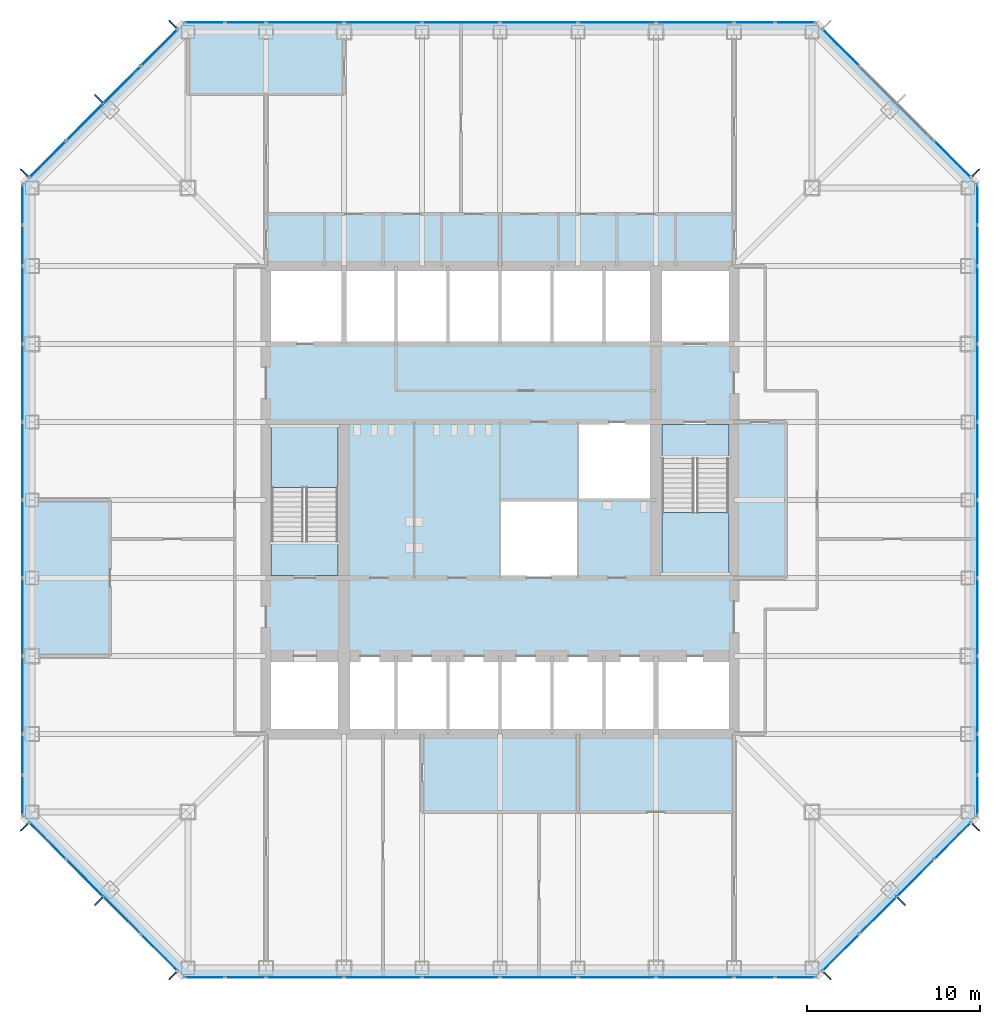
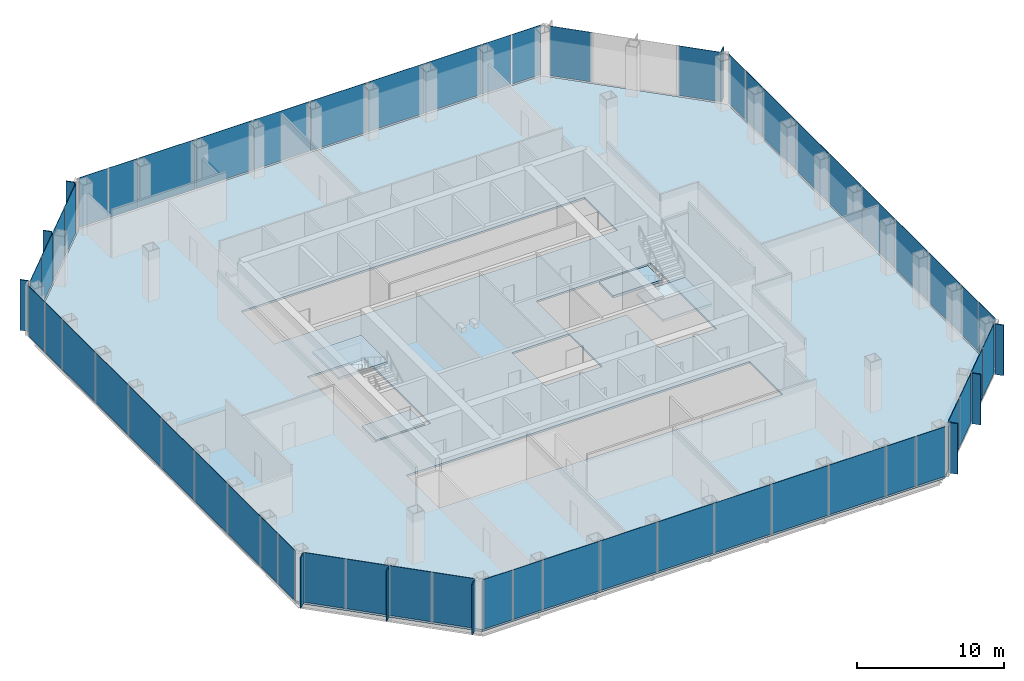
# One storey, part 7 of 13: 64 plates, 5 slabs, 10 elements without a shape of their own.
"""IFC4 building model written with IfcOpenShell, lengths in metres."""

from ifc_helpers import new_model, si_unit, direction, frame, origin, origin_2d, place, context, subcontext, project, spatial, polyline, rectangle, outline, extrude, material, layer, layer_set, type_object, element, aggregate, save


model = new_model("IFC4")

# Units and contexts
model_context = context("Model", 3, precision=1e-05, world=origin(), true_north=direction((0.0, 1.0)))
body_context = subcontext(model_context, "Body", "Model", "MODEL_VIEW")
ifc_project = project(units=[si_unit("LENGTHUNIT", "METRE"), si_unit("AREAUNIT", "SQUARE_METRE"), si_unit("VOLUMEUNIT", "CUBIC_METRE"), si_unit("PLANEANGLEUNIT", "RADIAN"), si_unit("MASSUNIT", "GRAM", prefix="KILO")], contexts=[model_context])

# Site, building, storey
site_placement = place(None, origin())
site = spatial("IfcSite", under=ifc_project, at=site_placement, CompositionType="ELEMENT")
building_placement = place(site_placement, origin())
building = spatial("IfcBuilding", under=site, at=building_placement, Name="Corais Broadcast Tower", CompositionType="ELEMENT")
storey_placement = place(building_placement, frame((0.0, 0.0, 66.800048828125)))
storey = spatial("IfcBuildingStorey", under=building, at=storey_placement, Name="L14", CompositionType="ELEMENT", Elevation=66.800048828125)

# Slab
ifc_material_1 = material(Name="Concrete C30/37", Category="concrete")
ifc_layer_1 = layer(ifc_material_1, 0.159912109375)
ifc_layer_set_1 = layer_set([ifc_layer_1], Name="Concrete C30/37")
slab_type_1 = type_object("IfcSlabType", Name="Composite floor slab 160", PredefinedType="FLOOR", material=ifc_layer_set_1)
slab_1_placement = place(storey_placement, frame((0.0, 0.0, -0.16015625)))
element("IfcSlab", 1, at=slab_1_placement, inside=storey, type_object=slab_type_1, Name="S160 floor slab L14", PredefinedType="FLOOR", context=body_context, shape_type="SweptSolid", body=[
    extrude(outline(polyline([(8.80126953125, -0.47998046875), (-0.47998046875, 8.80126953125), (-0.47998046875, 45.19873046875), (8.80126953125, 54.47998046875), (45.19873046875, 54.47998046875), (54.47998046875, 45.19873046875), (54.47998046875, 8.80126953125), (45.19873046875, -0.47998046875), (8.80126953125, -0.47998046875)]), holes=[polyline([(13.5, 18.0), (40.5, 18.0), (40.5, 13.5), (13.5, 13.5), (13.5, 18.0)]), polyline([(13.5, 22.5), (13.5, 31.5), (18.0, 31.5), (18.0, 22.5), (13.5, 22.5)]), polyline([(13.5, 40.5), (40.5, 40.5), (40.5, 36.0), (13.5, 36.0), (13.5, 40.5)]), polyline([(27.0, 22.5), (27.0, 27.0), (31.4951171875, 27.0), (31.4951171875, 27.0048828125), (31.5, 27.0048828125), (31.5, 31.5), (40.5, 31.5), (40.5, 22.5), (36.0, 22.5), (36.0, 27.0), (31.5048828125, 27.0), (31.5048828125, 26.9951171875), (31.5, 26.9951171875), (31.5, 22.5), (27.0, 22.5)])]), origin(), (0.0, 0.0, 1.0), 0.16015625),
])

# Curtain wall, plates
ifc_material_2 = material(Name="Aluminium and glass", Category="aluminium")
curtain_wall_type = type_object("IfcCurtainWallType", Name="Unitised fritted curtain wall CW1", PredefinedType="NOTDEFINED", material=ifc_material_2)
curtain_wall_1_placement = place(storey_placement, origin())
curtain_wall_1 = element("IfcCurtainWall", 2, at=curtain_wall_1_placement, inside=storey, type_object=curtain_wall_type, Name="CW1 curtain wall L14 1", PredefinedType="NOTDEFINED")
ifc_material_3 = material(Name="Ceramic-fritted laminated glass", Category="glass")
ifc_layer_2 = layer(ifc_material_3, 0.030029296875)
ifc_layer_set_2 = layer_set([ifc_layer_2], Name="Ceramic-fritted laminated glass")
plate_type_1 = type_object("IfcPlateType", Name="Fritted glass panel CW1", PredefinedType="CURTAIN_PANEL", material=ifc_layer_set_2)
plate_1_placement = place(storey_placement, frame((7.330322265625, 0.891845703125, 0.06494140625), z_axis=(0.0, 0.0, 1.0), x_axis=(-0.707106781187, 0.707106781187, 0.0)))
plate_1 = element("IfcPlate", 3, at=plate_1_placement, type_object=plate_type_1, Name="CW1 panel 1", PredefinedType="CURTAIN_PANEL", context=body_context, shape_type="SweptSolid", body=[
    extrude(rectangle(XDim=2.9482421875, YDim=0.030029296875, at=origin_2d()), origin(), (0.0, 0.0, 1.0), 4.135009765625),
])
plate_2_placement = place(storey_placement, frame((3.0341796875, 5.18798828125, 0.06494140625), z_axis=(0.0, 0.0, 1.0), x_axis=(-0.707106781187, 0.707106781187, 0.0)))
plate_2 = element("IfcPlate", 4, at=plate_2_placement, type_object=plate_type_1, Name="CW1 panel 3", PredefinedType="CURTAIN_PANEL", context=body_context, shape_type="SweptSolid", body=[
    extrude(rectangle(XDim=2.98095703125, YDim=0.030029296875, at=origin_2d()), origin(), (0.0, 0.0, 1.0), 4.135009765625),
])

curtain_wall_2_placement = place(storey_placement, origin())
curtain_wall_2 = element("IfcCurtainWall", 5, at=curtain_wall_2_placement, inside=storey, type_object=curtain_wall_type, Name="CW1 curtain wall L14 2", PredefinedType="NOTDEFINED")
plate_3_placement = place(storey_placement, frame((-0.550048828125, 9.970458984375, 0.06494140625), z_axis=(0.0, 0.0, 1.0), x_axis=(0.0, 1.0, 0.0)))
plate_3 = element("IfcPlate", 6, at=plate_3_placement, type_object=plate_type_1, Name="CW1 panel 1", PredefinedType="CURTAIN_PANEL", context=body_context, shape_type="SweptSolid", body=[
    extrude(rectangle(XDim=2.266357421875, YDim=0.030029296875, at=origin_2d()), origin(), (0.0, 0.0, 1.0), 4.135009765625),
])
plate_4_placement = place(storey_placement, frame((-0.550048828125, 15.75, 0.06494140625), z_axis=(0.0, 0.0, 1.0), x_axis=(0.0, 1.0, 0.0)))
plate_4 = element("IfcPlate", 7, at=plate_4_placement, type_object=plate_type_1, Name="CW1 panel 3", PredefinedType="CURTAIN_PANEL", context=body_context, shape_type="SweptSolid", body=[
    extrude(rectangle(XDim=4.43505859375, YDim=0.030029296875, at=origin_2d()), origin(), (0.0, 0.0, 1.0), 4.135009765625),
])
plate_5_placement = place(storey_placement, frame((-0.550048828125, 24.75, 0.06494140625), z_axis=(0.0, 0.0, 1.0), x_axis=(0.0, 1.0, 0.0)))
plate_5 = element("IfcPlate", 8, at=plate_5_placement, type_object=plate_type_1, Name="CW1 panel 5", PredefinedType="CURTAIN_PANEL", context=body_context, shape_type="SweptSolid", body=[
    extrude(rectangle(XDim=4.43505859375, YDim=0.030029296875, at=origin_2d()), origin(), (0.0, 0.0, 1.0), 4.135009765625),
])
plate_6_placement = place(storey_placement, frame((-0.550048828125, 33.75, 0.06494140625), z_axis=(0.0, 0.0, 1.0), x_axis=(0.0, 1.0, 0.0)))
plate_6 = element("IfcPlate", 9, at=plate_6_placement, type_object=plate_type_1, Name="CW1 panel 7", PredefinedType="CURTAIN_PANEL", context=body_context, shape_type="SweptSolid", body=[
    extrude(rectangle(XDim=4.43505859375, YDim=0.030029296875, at=origin_2d()), origin(), (0.0, 0.0, 1.0), 4.135009765625),
])
plate_7_placement = place(storey_placement, frame((-0.550048828125, 41.681884765625, 0.06494140625), z_axis=(0.0, 0.0, 1.0), x_axis=(0.0, 1.0, 0.0)))
plate_7 = element("IfcPlate", 10, at=plate_7_placement, type_object=plate_type_1, Name="CW1 panel 9", PredefinedType="CURTAIN_PANEL", context=body_context, shape_type="SweptSolid", body=[
    extrude(rectangle(XDim=2.298828125, YDim=0.030029296875, at=origin_2d()), origin(), (0.0, 0.0, 1.0), 4.135009765625),
])

curtain_wall_3_placement = place(storey_placement, origin())
curtain_wall_3 = element("IfcCurtainWall", 11, at=curtain_wall_3_placement, inside=storey, type_object=curtain_wall_type, Name="CW1 curtain wall L14 3", PredefinedType="NOTDEFINED")
plate_8_placement = place(storey_placement, frame((0.891845703125, 46.669677734375, 0.06494140625), z_axis=(0.0, 0.0, 1.0), x_axis=(0.707106781187, 0.707106781187, 0.0)))
plate_8 = element("IfcPlate", 12, at=plate_8_placement, type_object=plate_type_1, Name="CW1 panel 1", PredefinedType="CURTAIN_PANEL", context=body_context, shape_type="SweptSolid", body=[
    extrude(rectangle(XDim=2.9482421875, YDim=0.030029296875, at=origin_2d()), origin(), (0.0, 0.0, 1.0), 4.135009765625),
])
plate_9_placement = place(storey_placement, frame((5.18798828125, 50.9658203125, 0.06494140625), z_axis=(0.0, 0.0, 1.0), x_axis=(0.707106781187, 0.707106781187, 0.0)))
plate_9 = element("IfcPlate", 13, at=plate_9_placement, type_object=plate_type_1, Name="CW1 panel 3", PredefinedType="CURTAIN_PANEL", context=body_context, shape_type="SweptSolid", body=[
    extrude(rectangle(XDim=2.98095703125, YDim=0.030029296875, at=origin_2d()), origin(), (0.0, 0.0, 1.0), 4.135009765625),
])

curtain_wall_4_placement = place(storey_placement, origin())
curtain_wall_4 = element("IfcCurtainWall", 14, at=curtain_wall_4_placement, inside=storey, type_object=curtain_wall_type, Name="CW1 curtain wall L14 4", PredefinedType="NOTDEFINED")
plate_10_placement = place(storey_placement, frame((9.970458984375, 54.550048828125, 0.06494140625), z_axis=(0.0, 0.0, 1.0), x_axis=(1.0, 0.0, 0.0)))
plate_10 = element("IfcPlate", 15, at=plate_10_placement, type_object=plate_type_1, Name="CW1 panel 1", PredefinedType="CURTAIN_PANEL", context=body_context, shape_type="SweptSolid", body=[
    extrude(rectangle(XDim=2.266357421875, YDim=0.030029296875, at=origin_2d()), origin(), (0.0, 0.0, 1.0), 4.135009765625),
])
plate_11_placement = place(storey_placement, frame((15.75, 54.550048828125, 0.06494140625), z_axis=(0.0, 0.0, 1.0), x_axis=(1.0, 0.0, 0.0)))
plate_11 = element("IfcPlate", 16, at=plate_11_placement, type_object=plate_type_1, Name="CW1 panel 3", PredefinedType="CURTAIN_PANEL", context=body_context, shape_type="SweptSolid", body=[
    extrude(rectangle(XDim=4.43505859375, YDim=0.030029296875, at=origin_2d()), origin(), (0.0, 0.0, 1.0), 4.135009765625),
])
plate_12_placement = place(storey_placement, frame((24.75, 54.550048828125, 0.06494140625), z_axis=(0.0, 0.0, 1.0), x_axis=(1.0, 0.0, 0.0)))
plate_12 = element("IfcPlate", 17, at=plate_12_placement, type_object=plate_type_1, Name="CW1 panel 5", PredefinedType="CURTAIN_PANEL", context=body_context, shape_type="SweptSolid", body=[
    extrude(rectangle(XDim=4.43505859375, YDim=0.030029296875, at=origin_2d()), origin(), (0.0, 0.0, 1.0), 4.135009765625),
])
plate_13_placement = place(storey_placement, frame((33.75, 54.550048828125, 0.06494140625), z_axis=(0.0, 0.0, 1.0), x_axis=(1.0, 0.0, 0.0)))
plate_13 = element("IfcPlate", 18, at=plate_13_placement, type_object=plate_type_1, Name="CW1 panel 7", PredefinedType="CURTAIN_PANEL", context=body_context, shape_type="SweptSolid", body=[
    extrude(rectangle(XDim=4.43505859375, YDim=0.030029296875, at=origin_2d()), origin(), (0.0, 0.0, 1.0), 4.135009765625),
])
plate_14_placement = place(storey_placement, frame((41.681884765625, 54.550048828125, 0.06494140625), z_axis=(0.0, 0.0, 1.0), x_axis=(1.0, 0.0, 0.0)))
plate_14 = element("IfcPlate", 19, at=plate_14_placement, type_object=plate_type_1, Name="CW1 panel 9", PredefinedType="CURTAIN_PANEL", context=body_context, shape_type="SweptSolid", body=[
    extrude(rectangle(XDim=2.298828125, YDim=0.030029296875, at=origin_2d()), origin(), (0.0, 0.0, 1.0), 4.135009765625),
])

# Curtain wall, plate
curtain_wall_5_placement = place(storey_placement, origin())
curtain_wall_5 = element("IfcCurtainWall", 20, at=curtain_wall_5_placement, inside=storey, type_object=curtain_wall_type, Name="CW1 curtain wall L14 5", PredefinedType="NOTDEFINED")
plate_15_placement = place(storey_placement, frame((46.669677734375, 53.108154296875, 0.06494140625), z_axis=(0.0, 0.0, 1.0), x_axis=(0.707106781187, -0.707106781187, 0.0)))
plate_15 = element("IfcPlate", 21, at=plate_15_placement, type_object=plate_type_1, Name="CW1 panel 1", PredefinedType="CURTAIN_PANEL", context=body_context, shape_type="SweptSolid", body=[
    extrude(rectangle(XDim=2.9482421875, YDim=0.030029296875, at=origin_2d()), origin(), (0.0, 0.0, 1.0), 4.135009765625),
])

# Curtain wall, plates
curtain_wall_6_placement = place(storey_placement, origin())
curtain_wall_6 = element("IfcCurtainWall", 22, at=curtain_wall_6_placement, inside=storey, type_object=curtain_wall_type, Name="CW1 curtain wall L14 6", PredefinedType="NOTDEFINED")
plate_16_placement = place(storey_placement, frame((54.550048828125, 44.029541015625, 0.06494140625), z_axis=(0.0, 0.0, 1.0), x_axis=(0.0, -1.0, 0.0)))
plate_16 = element("IfcPlate", 23, at=plate_16_placement, type_object=plate_type_1, Name="CW1 panel 1", PredefinedType="CURTAIN_PANEL", context=body_context, shape_type="SweptSolid", body=[
    extrude(rectangle(XDim=2.266357421875, YDim=0.030029296875, at=origin_2d()), origin(), (0.0, 0.0, 1.0), 4.135009765625),
])
plate_17_placement = place(storey_placement, frame((54.550048828125, 38.25, 0.06494140625), z_axis=(0.0, 0.0, 1.0), x_axis=(0.0, -1.0, 0.0)))
plate_17 = element("IfcPlate", 24, at=plate_17_placement, type_object=plate_type_1, Name="CW1 panel 3", PredefinedType="CURTAIN_PANEL", context=body_context, shape_type="SweptSolid", body=[
    extrude(rectangle(XDim=4.43505859375, YDim=0.030029296875, at=origin_2d()), origin(), (0.0, 0.0, 1.0), 4.135009765625),
])
plate_18_placement = place(storey_placement, frame((54.550048828125, 29.25, 0.06494140625), z_axis=(0.0, 0.0, 1.0), x_axis=(0.0, -1.0, 0.0)))
plate_18 = element("IfcPlate", 25, at=plate_18_placement, type_object=plate_type_1, Name="CW1 panel 5", PredefinedType="CURTAIN_PANEL", context=body_context, shape_type="SweptSolid", body=[
    extrude(rectangle(XDim=4.43505859375, YDim=0.030029296875, at=origin_2d()), origin(), (0.0, 0.0, 1.0), 4.135009765625),
])
plate_19_placement = place(storey_placement, frame((54.550048828125, 20.25, 0.06494140625), z_axis=(0.0, 0.0, 1.0), x_axis=(0.0, -1.0, 0.0)))
plate_19 = element("IfcPlate", 26, at=plate_19_placement, type_object=plate_type_1, Name="CW1 panel 7", PredefinedType="CURTAIN_PANEL", context=body_context, shape_type="SweptSolid", body=[
    extrude(rectangle(XDim=4.43505859375, YDim=0.030029296875, at=origin_2d()), origin(), (0.0, 0.0, 1.0), 4.135009765625),
])
plate_20_placement = place(storey_placement, frame((54.550048828125, 12.318115234375, 0.06494140625), z_axis=(0.0, 0.0, 1.0), x_axis=(0.0, -1.0, 0.0)))
plate_20 = element("IfcPlate", 27, at=plate_20_placement, type_object=plate_type_1, Name="CW1 panel 9", PredefinedType="CURTAIN_PANEL", context=body_context, shape_type="SweptSolid", body=[
    extrude(rectangle(XDim=2.298828125, YDim=0.030029296875, at=origin_2d()), origin(), (0.0, 0.0, 1.0), 4.135009765625),
])

curtain_wall_7_placement = place(storey_placement, origin())
curtain_wall_7 = element("IfcCurtainWall", 28, at=curtain_wall_7_placement, inside=storey, type_object=curtain_wall_type, Name="CW1 curtain wall L14 7", PredefinedType="NOTDEFINED")
plate_21_placement = place(storey_placement, frame((53.108154296875, 7.330322265625, 0.06494140625), z_axis=(0.0, 0.0, 1.0), x_axis=(-0.707106781187, -0.707106781187, 0.0)))
plate_21 = element("IfcPlate", 29, at=plate_21_placement, type_object=plate_type_1, Name="CW1 panel 1", PredefinedType="CURTAIN_PANEL", context=body_context, shape_type="SweptSolid", body=[
    extrude(rectangle(XDim=2.9482421875, YDim=0.030029296875, at=origin_2d()), origin(), (0.0, 0.0, 1.0), 4.135009765625),
])
plate_22_placement = place(storey_placement, frame((48.81201171875, 3.0341796875, 0.06494140625), z_axis=(0.0, 0.0, 1.0), x_axis=(-0.707106781187, -0.707106781187, 0.0)))
plate_22 = element("IfcPlate", 30, at=plate_22_placement, type_object=plate_type_1, Name="CW1 panel 3", PredefinedType="CURTAIN_PANEL", context=body_context, shape_type="SweptSolid", body=[
    extrude(rectangle(XDim=2.98095703125, YDim=0.030029296875, at=origin_2d()), origin(), (0.0, 0.0, 1.0), 4.135009765625),
])

curtain_wall_8_placement = place(storey_placement, origin())
curtain_wall_8 = element("IfcCurtainWall", 31, at=curtain_wall_8_placement, inside=storey, type_object=curtain_wall_type, Name="CW1 curtain wall L14 8", PredefinedType="NOTDEFINED")
plate_23_placement = place(storey_placement, frame((44.029541015625, -0.550048828125, 0.06494140625), z_axis=(0.0, 0.0, 1.0), x_axis=(-1.0, 0.0, 0.0)))
plate_23 = element("IfcPlate", 32, at=plate_23_placement, type_object=plate_type_1, Name="CW1 panel 1", PredefinedType="CURTAIN_PANEL", context=body_context, shape_type="SweptSolid", body=[
    extrude(rectangle(XDim=2.266357421875, YDim=0.030029296875, at=origin_2d()), origin(), (0.0, 0.0, 1.0), 4.135009765625),
])
plate_24_placement = place(storey_placement, frame((38.25, -0.550048828125, 0.06494140625), z_axis=(0.0, 0.0, 1.0), x_axis=(-1.0, 0.0, 0.0)))
plate_24 = element("IfcPlate", 33, at=plate_24_placement, type_object=plate_type_1, Name="CW1 panel 3", PredefinedType="CURTAIN_PANEL", context=body_context, shape_type="SweptSolid", body=[
    extrude(rectangle(XDim=4.43505859375, YDim=0.030029296875, at=origin_2d()), origin(), (0.0, 0.0, 1.0), 4.135009765625),
])
plate_25_placement = place(storey_placement, frame((29.25, -0.550048828125, 0.06494140625), z_axis=(0.0, 0.0, 1.0), x_axis=(-1.0, 0.0, 0.0)))
plate_25 = element("IfcPlate", 34, at=plate_25_placement, type_object=plate_type_1, Name="CW1 panel 5", PredefinedType="CURTAIN_PANEL", context=body_context, shape_type="SweptSolid", body=[
    extrude(rectangle(XDim=4.43505859375, YDim=0.030029296875, at=origin_2d()), origin(), (0.0, 0.0, 1.0), 4.135009765625),
])
plate_26_placement = place(storey_placement, frame((20.25, -0.550048828125, 0.06494140625), z_axis=(0.0, 0.0, 1.0), x_axis=(-1.0, 0.0, 0.0)))
plate_26 = element("IfcPlate", 35, at=plate_26_placement, type_object=plate_type_1, Name="CW1 panel 7", PredefinedType="CURTAIN_PANEL", context=body_context, shape_type="SweptSolid", body=[
    extrude(rectangle(XDim=4.43505859375, YDim=0.030029296875, at=origin_2d()), origin(), (0.0, 0.0, 1.0), 4.135009765625),
])
plate_27_placement = place(storey_placement, frame((12.318115234375, -0.550048828125, 0.06494140625), z_axis=(0.0, 0.0, 1.0), x_axis=(-1.0, 0.0, 0.0)))
plate_27 = element("IfcPlate", 36, at=plate_27_placement, type_object=plate_type_1, Name="CW1 panel 9", PredefinedType="CURTAIN_PANEL", context=body_context, shape_type="SweptSolid", body=[
    extrude(rectangle(XDim=2.298828125, YDim=0.030029296875, at=origin_2d()), origin(), (0.0, 0.0, 1.0), 4.135009765625),
])

# Plate
ifc_material_4 = material(Name="Clear laminated glass", Category="glass")
ifc_layer_3 = layer(ifc_material_4, 0.033935546875)
ifc_layer_set_3 = layer_set([ifc_layer_3], Name="Clear laminated glass")
plate_type_2 = type_object("IfcPlateType", Name="Operable glass panel CW1", PredefinedType="CURTAIN_PANEL", material=ifc_layer_set_3)
plate_28_placement = place(storey_placement, frame((5.18798828125, 3.0341796875, 0.06494140625), z_axis=(0.0, 0.0, 1.0), x_axis=(-0.707106781187, 0.707106781187, 0.0)))
plate_28 = element("IfcPlate", 37, at=plate_28_placement, type_object=plate_type_2, Name="CW1 operable panel 2", PredefinedType="CURTAIN_PANEL", context=body_context, shape_type="SweptSolid", body=[
    extrude(rectangle(XDim=2.98095703125, YDim=0.033935546875, at=origin_2d()), origin(), (0.0, 0.0, 1.0), 4.135009765625),
])

plate_29_placement = place(storey_placement, frame((0.89208984375, 7.330322265625, 0.06494140625), z_axis=(0.0, 0.0, 1.0), x_axis=(-0.707106781187, 0.707106781187, 0.0)))
plate_29 = element("IfcPlate", 38, at=plate_29_placement, type_object=plate_type_2, Name="CW1 operable panel 4", PredefinedType="CURTAIN_PANEL", context=body_context, shape_type="SweptSolid", body=[
    extrude(rectangle(XDim=2.948486328125, YDim=0.033935546875, at=origin_2d()), origin(), (0.0, 0.0, 1.0), 4.135009765625),
])

aggregate(curtain_wall_1, [plate_1, plate_28, plate_2, plate_29])

plate_30_placement = place(storey_placement, frame((-0.550048828125, 12.318115234375, 0.06494140625), z_axis=(0.0, 0.0, 1.0), x_axis=(0.0, 1.0, 0.0)))
plate_30 = element("IfcPlate", 39, at=plate_30_placement, type_object=plate_type_2, Name="CW1 operable panel 2", PredefinedType="CURTAIN_PANEL", context=body_context, shape_type="SweptSolid", body=[
    extrude(rectangle(XDim=2.298828125, YDim=0.033935546875, at=origin_2d()), origin(), (0.0, 0.0, 1.0), 4.135009765625),
])

plate_31_placement = place(storey_placement, frame((-0.550048828125, 20.25, 0.06494140625), z_axis=(0.0, 0.0, 1.0), x_axis=(0.0, 1.0, 0.0)))
plate_31 = element("IfcPlate", 40, at=plate_31_placement, type_object=plate_type_2, Name="CW1 operable panel 4", PredefinedType="CURTAIN_PANEL", context=body_context, shape_type="SweptSolid", body=[
    extrude(rectangle(XDim=4.43505859375, YDim=0.033935546875, at=origin_2d()), origin(), (0.0, 0.0, 1.0), 4.135009765625),
])

plate_32_placement = place(storey_placement, frame((-0.550048828125, 29.25, 0.06494140625), z_axis=(0.0, 0.0, 1.0), x_axis=(0.0, 1.0, 0.0)))
plate_32 = element("IfcPlate", 41, at=plate_32_placement, type_object=plate_type_2, Name="CW1 operable panel 6", PredefinedType="CURTAIN_PANEL", context=body_context, shape_type="SweptSolid", body=[
    extrude(rectangle(XDim=4.43505859375, YDim=0.033935546875, at=origin_2d()), origin(), (0.0, 0.0, 1.0), 4.135009765625),
])

plate_33_placement = place(storey_placement, frame((-0.550048828125, 38.25, 0.06494140625), z_axis=(0.0, 0.0, 1.0), x_axis=(0.0, 1.0, 0.0)))
plate_33 = element("IfcPlate", 42, at=plate_33_placement, type_object=plate_type_2, Name="CW1 operable panel 8", PredefinedType="CURTAIN_PANEL", context=body_context, shape_type="SweptSolid", body=[
    extrude(rectangle(XDim=4.43505859375, YDim=0.033935546875, at=origin_2d()), origin(), (0.0, 0.0, 1.0), 4.135009765625),
])

plate_34_placement = place(storey_placement, frame((-0.550048828125, 44.029541015625, 0.06494140625), z_axis=(0.0, 0.0, 1.0), x_axis=(0.0, 1.0, 0.0)))
plate_34 = element("IfcPlate", 43, at=plate_34_placement, type_object=plate_type_2, Name="CW1 operable panel 10", PredefinedType="CURTAIN_PANEL", context=body_context, shape_type="SweptSolid", body=[
    extrude(rectangle(XDim=2.266357421875, YDim=0.033935546875, at=origin_2d()), origin(), (0.0, 0.0, 1.0), 4.135009765625),
])

aggregate(curtain_wall_2, [plate_3, plate_30, plate_4, plate_31, plate_5, plate_32, plate_6, plate_33, plate_7, plate_34])

plate_35_placement = place(storey_placement, frame((3.0341796875, 48.81201171875, 0.06494140625), z_axis=(0.0, 0.0, 1.0), x_axis=(0.707106781187, 0.707106781187, 0.0)))
plate_35 = element("IfcPlate", 44, at=plate_35_placement, type_object=plate_type_2, Name="CW1 operable panel 2", PredefinedType="CURTAIN_PANEL", context=body_context, shape_type="SweptSolid", body=[
    extrude(rectangle(XDim=2.98095703125, YDim=0.033935546875, at=origin_2d()), origin(), (0.0, 0.0, 1.0), 4.135009765625),
])

plate_36_placement = place(storey_placement, frame((7.330322265625, 53.10791015625, 0.06494140625), z_axis=(0.0, 0.0, 1.0), x_axis=(0.707106781187, 0.707106781187, 0.0)))
plate_36 = element("IfcPlate", 45, at=plate_36_placement, type_object=plate_type_2, Name="CW1 operable panel 4", PredefinedType="CURTAIN_PANEL", context=body_context, shape_type="SweptSolid", body=[
    extrude(rectangle(XDim=2.948486328125, YDim=0.033935546875, at=origin_2d()), origin(), (0.0, 0.0, 1.0), 4.135009765625),
])

aggregate(curtain_wall_3, [plate_8, plate_35, plate_9, plate_36])

plate_37_placement = place(storey_placement, frame((12.318115234375, 54.550048828125, 0.06494140625), z_axis=(0.0, 0.0, 1.0), x_axis=(1.0, 0.0, 0.0)))
plate_37 = element("IfcPlate", 46, at=plate_37_placement, type_object=plate_type_2, Name="CW1 operable panel 2", PredefinedType="CURTAIN_PANEL", context=body_context, shape_type="SweptSolid", body=[
    extrude(rectangle(XDim=2.298828125, YDim=0.033935546875, at=origin_2d()), origin(), (0.0, 0.0, 1.0), 4.135009765625),
])

plate_38_placement = place(storey_placement, frame((20.25, 54.550048828125, 0.06494140625), z_axis=(0.0, 0.0, 1.0), x_axis=(1.0, 0.0, 0.0)))
plate_38 = element("IfcPlate", 47, at=plate_38_placement, type_object=plate_type_2, Name="CW1 operable panel 4", PredefinedType="CURTAIN_PANEL", context=body_context, shape_type="SweptSolid", body=[
    extrude(rectangle(XDim=4.43505859375, YDim=0.033935546875, at=origin_2d()), origin(), (0.0, 0.0, 1.0), 4.135009765625),
])

plate_39_placement = place(storey_placement, frame((29.25, 54.550048828125, 0.06494140625), z_axis=(0.0, 0.0, 1.0), x_axis=(1.0, 0.0, 0.0)))
plate_39 = element("IfcPlate", 48, at=plate_39_placement, type_object=plate_type_2, Name="CW1 operable panel 6", PredefinedType="CURTAIN_PANEL", context=body_context, shape_type="SweptSolid", body=[
    extrude(rectangle(XDim=4.43505859375, YDim=0.033935546875, at=origin_2d()), origin(), (0.0, 0.0, 1.0), 4.135009765625),
])

plate_40_placement = place(storey_placement, frame((38.25, 54.550048828125, 0.06494140625), z_axis=(0.0, 0.0, 1.0), x_axis=(1.0, 0.0, 0.0)))
plate_40 = element("IfcPlate", 49, at=plate_40_placement, type_object=plate_type_2, Name="CW1 operable panel 8", PredefinedType="CURTAIN_PANEL", context=body_context, shape_type="SweptSolid", body=[
    extrude(rectangle(XDim=4.43505859375, YDim=0.033935546875, at=origin_2d()), origin(), (0.0, 0.0, 1.0), 4.135009765625),
])

plate_41_placement = place(storey_placement, frame((44.029541015625, 54.550048828125, 0.06494140625), z_axis=(0.0, 0.0, 1.0), x_axis=(1.0, 0.0, 0.0)))
plate_41 = element("IfcPlate", 50, at=plate_41_placement, type_object=plate_type_2, Name="CW1 operable panel 10", PredefinedType="CURTAIN_PANEL", context=body_context, shape_type="SweptSolid", body=[
    extrude(rectangle(XDim=2.266357421875, YDim=0.033935546875, at=origin_2d()), origin(), (0.0, 0.0, 1.0), 4.135009765625),
])

aggregate(curtain_wall_4, [plate_10, plate_37, plate_11, plate_38, plate_12, plate_39, plate_13, plate_40, plate_14, plate_41])

plate_42_placement = place(storey_placement, frame((53.10791015625, 46.669677734375, 0.06494140625), z_axis=(0.0, 0.0, 1.0), x_axis=(0.707106781187, -0.707106781187, 0.0)))
plate_42 = element("IfcPlate", 51, at=plate_42_placement, type_object=plate_type_2, Name="CW1 operable panel 4", PredefinedType="CURTAIN_PANEL", context=body_context, shape_type="SweptSolid", body=[
    extrude(rectangle(XDim=2.948486328125, YDim=0.033935546875, at=origin_2d()), origin(), (0.0, 0.0, 1.0), 4.135009765625),
])

aggregate(curtain_wall_5, [plate_15, plate_42])

plate_43_placement = place(storey_placement, frame((54.550048828125, 41.681884765625, 0.06494140625), z_axis=(0.0, 0.0, 1.0), x_axis=(0.0, -1.0, 0.0)))
plate_43 = element("IfcPlate", 52, at=plate_43_placement, type_object=plate_type_2, Name="CW1 operable panel 2", PredefinedType="CURTAIN_PANEL", context=body_context, shape_type="SweptSolid", body=[
    extrude(rectangle(XDim=2.298828125, YDim=0.033935546875, at=origin_2d()), origin(), (0.0, 0.0, 1.0), 4.135009765625),
])

plate_44_placement = place(storey_placement, frame((54.550048828125, 33.75, 0.06494140625), z_axis=(0.0, 0.0, 1.0), x_axis=(0.0, -1.0, 0.0)))
plate_44 = element("IfcPlate", 53, at=plate_44_placement, type_object=plate_type_2, Name="CW1 operable panel 4", PredefinedType="CURTAIN_PANEL", context=body_context, shape_type="SweptSolid", body=[
    extrude(rectangle(XDim=4.43505859375, YDim=0.033935546875, at=origin_2d()), origin(), (0.0, 0.0, 1.0), 4.135009765625),
])

plate_45_placement = place(storey_placement, frame((54.550048828125, 24.75, 0.06494140625), z_axis=(0.0, 0.0, 1.0), x_axis=(0.0, -1.0, 0.0)))
plate_45 = element("IfcPlate", 54, at=plate_45_placement, type_object=plate_type_2, Name="CW1 operable panel 6", PredefinedType="CURTAIN_PANEL", context=body_context, shape_type="SweptSolid", body=[
    extrude(rectangle(XDim=4.43505859375, YDim=0.033935546875, at=origin_2d()), origin(), (0.0, 0.0, 1.0), 4.135009765625),
])

plate_46_placement = place(storey_placement, frame((54.550048828125, 15.75, 0.06494140625), z_axis=(0.0, 0.0, 1.0), x_axis=(0.0, -1.0, 0.0)))
plate_46 = element("IfcPlate", 55, at=plate_46_placement, type_object=plate_type_2, Name="CW1 operable panel 8", PredefinedType="CURTAIN_PANEL", context=body_context, shape_type="SweptSolid", body=[
    extrude(rectangle(XDim=4.43505859375, YDim=0.033935546875, at=origin_2d()), origin(), (0.0, 0.0, 1.0), 4.135009765625),
])

plate_47_placement = place(storey_placement, frame((54.550048828125, 9.970458984375, 0.06494140625), z_axis=(0.0, 0.0, 1.0), x_axis=(0.0, -1.0, 0.0)))
plate_47 = element("IfcPlate", 56, at=plate_47_placement, type_object=plate_type_2, Name="CW1 operable panel 10", PredefinedType="CURTAIN_PANEL", context=body_context, shape_type="SweptSolid", body=[
    extrude(rectangle(XDim=2.266357421875, YDim=0.033935546875, at=origin_2d()), origin(), (0.0, 0.0, 1.0), 4.135009765625),
])

aggregate(curtain_wall_6, [plate_16, plate_43, plate_17, plate_44, plate_18, plate_45, plate_19, plate_46, plate_20, plate_47])

plate_48_placement = place(storey_placement, frame((50.9658203125, 5.18798828125, 0.06494140625), z_axis=(0.0, 0.0, 1.0), x_axis=(-0.707106781187, -0.707106781187, 0.0)))
plate_48 = element("IfcPlate", 57, at=plate_48_placement, type_object=plate_type_2, Name="CW1 operable panel 2", PredefinedType="CURTAIN_PANEL", context=body_context, shape_type="SweptSolid", body=[
    extrude(rectangle(XDim=2.98095703125, YDim=0.033935546875, at=origin_2d()), origin(), (0.0, 0.0, 1.0), 4.135009765625),
])

plate_49_placement = place(storey_placement, frame((46.669677734375, 0.89208984375, 0.06494140625), z_axis=(0.0, 0.0, 1.0), x_axis=(-0.707106781187, -0.707106781187, 0.0)))
plate_49 = element("IfcPlate", 58, at=plate_49_placement, type_object=plate_type_2, Name="CW1 operable panel 4", PredefinedType="CURTAIN_PANEL", context=body_context, shape_type="SweptSolid", body=[
    extrude(rectangle(XDim=2.948486328125, YDim=0.033935546875, at=origin_2d()), origin(), (0.0, 0.0, 1.0), 4.135009765625),
])

aggregate(curtain_wall_7, [plate_21, plate_48, plate_22, plate_49])

plate_50_placement = place(storey_placement, frame((41.681884765625, -0.550048828125, 0.06494140625), z_axis=(0.0, 0.0, 1.0), x_axis=(-1.0, 0.0, 0.0)))
plate_50 = element("IfcPlate", 59, at=plate_50_placement, type_object=plate_type_2, Name="CW1 operable panel 2", PredefinedType="CURTAIN_PANEL", context=body_context, shape_type="SweptSolid", body=[
    extrude(rectangle(XDim=2.298828125, YDim=0.033935546875, at=origin_2d()), origin(), (0.0, 0.0, 1.0), 4.135009765625),
])

plate_51_placement = place(storey_placement, frame((33.75, -0.550048828125, 0.06494140625), z_axis=(0.0, 0.0, 1.0), x_axis=(-1.0, 0.0, 0.0)))
plate_51 = element("IfcPlate", 60, at=plate_51_placement, type_object=plate_type_2, Name="CW1 operable panel 4", PredefinedType="CURTAIN_PANEL", context=body_context, shape_type="SweptSolid", body=[
    extrude(rectangle(XDim=4.43505859375, YDim=0.033935546875, at=origin_2d()), origin(), (0.0, 0.0, 1.0), 4.135009765625),
])

plate_52_placement = place(storey_placement, frame((24.75, -0.550048828125, 0.06494140625), z_axis=(0.0, 0.0, 1.0), x_axis=(-1.0, 0.0, 0.0)))
plate_52 = element("IfcPlate", 61, at=plate_52_placement, type_object=plate_type_2, Name="CW1 operable panel 6", PredefinedType="CURTAIN_PANEL", context=body_context, shape_type="SweptSolid", body=[
    extrude(rectangle(XDim=4.43505859375, YDim=0.033935546875, at=origin_2d()), origin(), (0.0, 0.0, 1.0), 4.135009765625),
])

plate_53_placement = place(storey_placement, frame((15.75, -0.550048828125, 0.06494140625), z_axis=(0.0, 0.0, 1.0), x_axis=(-1.0, 0.0, 0.0)))
plate_53 = element("IfcPlate", 62, at=plate_53_placement, type_object=plate_type_2, Name="CW1 operable panel 8", PredefinedType="CURTAIN_PANEL", context=body_context, shape_type="SweptSolid", body=[
    extrude(rectangle(XDim=4.43505859375, YDim=0.033935546875, at=origin_2d()), origin(), (0.0, 0.0, 1.0), 4.135009765625),
])

plate_54_placement = place(storey_placement, frame((9.970458984375, -0.550048828125, 0.06494140625), z_axis=(0.0, 0.0, 1.0), x_axis=(-1.0, 0.0, 0.0)))
plate_54 = element("IfcPlate", 63, at=plate_54_placement, type_object=plate_type_2, Name="CW1 operable panel 10", PredefinedType="CURTAIN_PANEL", context=body_context, shape_type="SweptSolid", body=[
    extrude(rectangle(XDim=2.266357421875, YDim=0.033935546875, at=origin_2d()), origin(), (0.0, 0.0, 1.0), 4.135009765625),
])

aggregate(curtain_wall_8, [plate_23, plate_50, plate_24, plate_51, plate_25, plate_52, plate_26, plate_53, plate_27, plate_54])

# Stair, slabs
ifc_material_5 = material(Name="Concrete C30/37", Category="concrete")
stair_type = type_object("IfcStairType", Name="Half-turn stair 4200", PredefinedType="HALF_TURN_STAIR", material=ifc_material_5)
stair_1_placement = place(storey_placement, origin())
stair_1 = element("IfcStair", 64, at=stair_1_placement, inside=storey, type_object=stair_type, Name="Stair A L14", PredefinedType="HALF_TURN_STAIR")
ifc_material_6 = material(Name="Concrete C30/37", Category="concrete")
ifc_layer_4 = layer(ifc_material_6, 0.199951171875)
ifc_layer_set_4 = layer_set([ifc_layer_4], Name="Concrete C30/37")
slab_type_2 = type_object("IfcSlabType", Name="Stair landing 200", PredefinedType="LANDING", material=ifc_layer_set_4)
slab_2_placement = place(storey_placement, frame((0.0, 0.0, -0.199951171875)))
slab_2 = element("IfcSlab", 65, at=slab_2_placement, type_object=slab_type_2, Name="STA landing 1", PredefinedType="LANDING", context=body_context, shape_type="SweptSolid", body=[
    extrude(outline(polyline([(13.800048828125, 22.64990234375), (17.64990234375, 22.64990234375), (17.64990234375, 24.60009765625), (13.800048828125, 24.60009765625), (13.800048828125, 22.64990234375)])), origin(), (0.0, 0.0, 1.0), 0.199951171875),
])
slab_3_placement = place(storey_placement, frame((0.0, 0.0, 1.89990234375)))
slab_3 = element("IfcSlab", 66, at=slab_3_placement, type_object=slab_type_2, Name="STA landing 2", PredefinedType="LANDING", context=body_context, shape_type="SweptSolid", body=[
    extrude(outline(polyline([(13.800048828125, 27.735107421875), (17.64990234375, 27.735107421875), (17.64990234375, 31.35009765625), (13.800048828125, 31.35009765625), (13.800048828125, 27.735107421875)])), origin(), (0.0, 0.0, 1.0), 0.199951171875),
])
aggregate(stair_1, [slab_2, slab_3])

stair_2_placement = place(storey_placement, origin())
stair_2 = element("IfcStair", 67, at=stair_2_placement, inside=storey, type_object=stair_type, Name="Stair B L14", PredefinedType="HALF_TURN_STAIR")
slab_4_placement = place(storey_placement, frame((0.0, 0.0, -0.199951171875)))
slab_4 = element("IfcSlab", 68, at=slab_4_placement, type_object=slab_type_2, Name="STB landing 1", PredefinedType="LANDING", context=body_context, shape_type="SweptSolid", body=[
    extrude(outline(polyline([(36.35009765625, 29.39990234375), (40.199951171875, 29.39990234375), (40.199951171875, 31.35009765625), (36.35009765625, 31.35009765625), (36.35009765625, 29.39990234375)])), origin(), (0.0, 0.0, 1.0), 0.199951171875),
])
slab_5_placement = place(storey_placement, frame((0.0, 0.0, 1.89990234375)))
slab_5 = element("IfcSlab", 69, at=slab_5_placement, type_object=slab_type_2, Name="STB landing 2", PredefinedType="LANDING", context=body_context, shape_type="SweptSolid", body=[
    extrude(outline(polyline([(36.35009765625, 22.64990234375), (40.199951171875, 22.64990234375), (40.199951171875, 26.264892578125), (36.35009765625, 26.264892578125), (36.35009765625, 22.64990234375)])), origin(), (0.0, 0.0, 1.0), 0.199951171875),
])
aggregate(stair_2, [slab_4, slab_5])

# Plates
ifc_material_7 = material(Name="Granite stone cladding", Category="masonry")
ifc_layer_5 = layer(ifc_material_7, 0.080078125)
ifc_layer_set_5 = layer_set([ifc_layer_5], Name="Granite stone cladding")
plate_type_3 = type_object("IfcPlateType", Name="Stone screen fin 80x600", PredefinedType="USERDEFINED", material=ifc_layer_set_5)
for number, where, z_axis, x_axis, name in (
    (70, (8.114990234375, -0.4541015625, 0.0), (0.0, 0.0, 1.0), (-0.707106781187, 0.707106781187, 0.0), "SF1 stone screen fin L14"),
    (71, (3.830322265625, 3.830322265625, 0.0), (0.0, 0.0, 1.0), (-0.707106781187, 0.707106781187, 0.0), "SF1 stone screen fin L14"),
    (72, (-0.4541015625, 8.114990234375, 0.0), (0.0, 0.0, 1.0), (-0.707106781187, 0.707106781187, 0.0), "SF1 stone screen fin L14"),
    (73, (-0.4541015625, 45.885009765625, 0.0), (0.0, 0.0, 1.0), (0.707106781187, 0.707106781187, 0.0), "SF1 stone screen fin L14"),
    (74, (3.830322265625, 50.169677734375, 0.0), (0.0, 0.0, 1.0), (0.707106781187, 0.707106781187, 0.0), "SF1 stone screen fin L14"),
    (75, (8.114990234375, 54.4541015625, 0.0), (0.0, 0.0, 1.0), (0.707106781187, 0.707106781187, 0.0), "SF1 stone screen fin L14"),
    (76, (54.4541015625, 45.885009765625, 0.0), (0.0, 0.0, 1.0), (0.707106781187, -0.707106781187, 0.0), "SF1 stone screen fin L14"),
    (77, (54.4541015625, 8.114990234375, 0.0), (0.0, 0.0, 1.0), (-0.707106781187, -0.707106781187, 0.0), "SF1 stone screen fin L14"),
    (78, (50.169677734375, 3.830322265625, 0.0), (0.0, 0.0, 1.0), (-0.707106781187, -0.707106781187, 0.0), "SF1 stone screen fin L14"),
    (79, (45.885009765625, -0.4541015625, 0.0), (0.0, 0.0, 1.0), (-0.707106781187, -0.707106781187, 0.0), "SF1 stone screen fin L14"),
):
    element("IfcPlate", number, at=place(storey_placement, frame(where, z_axis=z_axis, x_axis=x_axis)), inside=storey, type_object=plate_type_3, Name=name, ObjectType="STONE SCREEN FIN", PredefinedType="USERDEFINED", context=body_context, shape_type="SweptSolid", body=[
        extrude(rectangle(XDim=0.080078125, YDim=0.60009765625, at=origin_2d()), origin(), (0.0, 0.0, 1.0), 4.199951171875),
    ])

save(model, "model.ifc")
